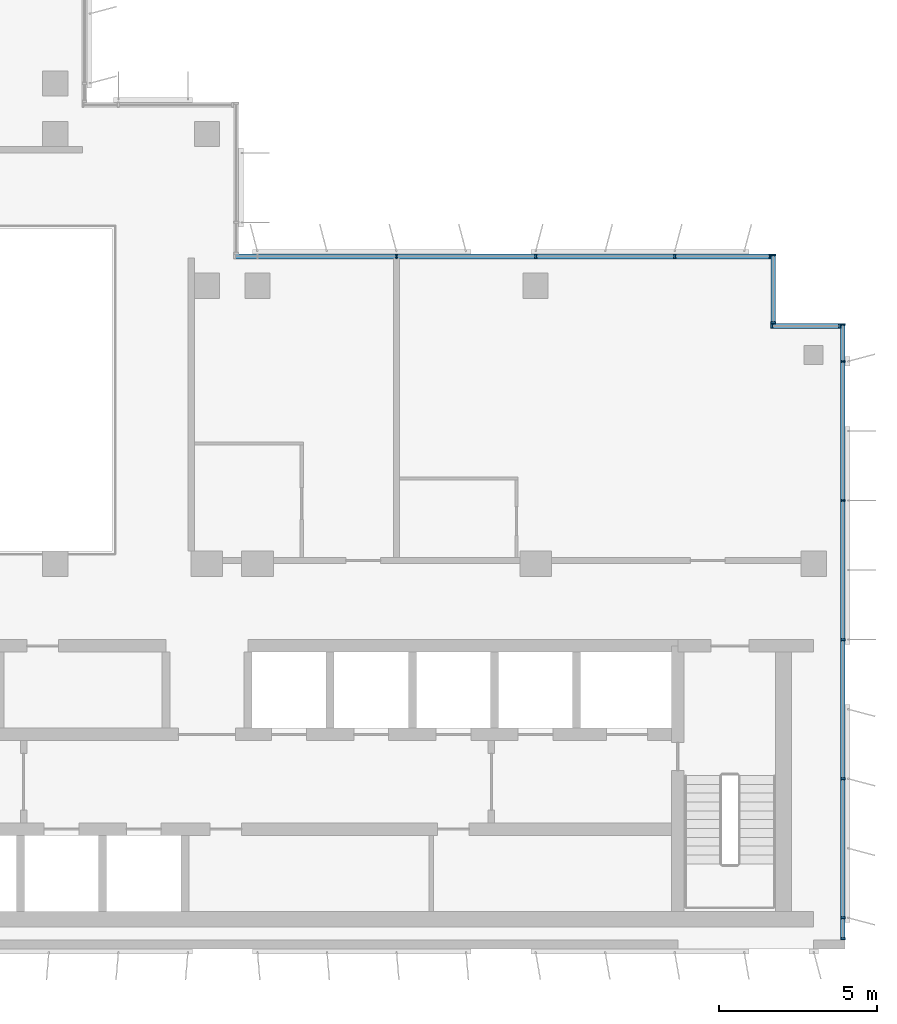
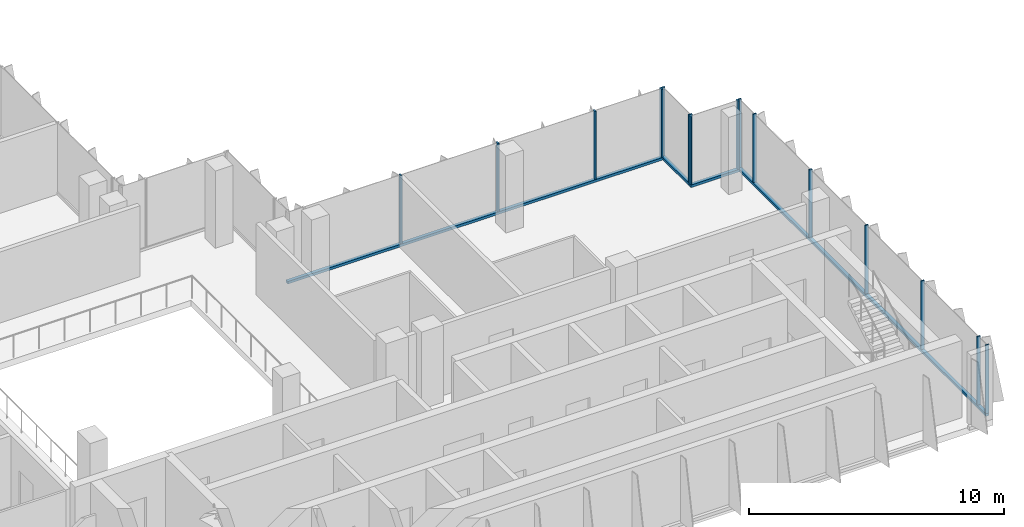
# One storey, part 3 of 15: 19 members, 4 elements without a shape of their own.
"""IFC4 building model written with IfcOpenShell, lengths in metres."""

from ifc_helpers import new_model, si_unit, direction, frame, origin, origin_2d, place, context, subcontext, project, spatial, rectangle, extrude, source, transform, mapped, material, material_profile, profile_set, type_object, element, aggregate, save


model = new_model("IFC4")

# Units and contexts
model_context = context("Model", 3, precision=1e-05, world=origin(), true_north=direction((0.0, 1.0)))
body_context = subcontext(model_context, "Body", "Model", "MODEL_VIEW")
ifc_project = project(units=[si_unit("LENGTHUNIT", "METRE"), si_unit("AREAUNIT", "SQUARE_METRE"), si_unit("VOLUMEUNIT", "CUBIC_METRE"), si_unit("PLANEANGLEUNIT", "RADIAN"), si_unit("MASSUNIT", "GRAM", prefix="KILO")], contexts=[model_context])

# Site, building, storey
site_placement = place(None, origin())
site = spatial("IfcSite", under=ifc_project, at=site_placement, CompositionType="ELEMENT")
building_placement = place(site_placement, origin())
building = spatial("IfcBuilding", under=site, at=building_placement, Name="Kemantara Hotel Tower", CompositionType="ELEMENT")
storey_placement = place(building_placement, frame((0.0, 0.0, 233.89990234375)))
storey = spatial("IfcBuildingStorey", under=building, at=storey_placement, Name="L58", CompositionType="ELEMENT", Elevation=233.89990234375)

# Curtain wall, member
ifc_material_1 = material(Name="Low-E tinted double insulated glass 36 mm", Category="glass")
curtain_wall_type = type_object("IfcCurtainWallType", Name="TOWER CURTAIN WALL, FRONT FACES", PredefinedType="USERDEFINED", material=ifc_material_1)
curtain_wall_1_placement = place(storey_placement, origin())
curtain_wall_1 = element("IfcCurtainWall", 1, at=curtain_wall_1_placement, inside=storey, type_object=curtain_wall_type, Name="CW4 L58 T4-R09-1", ObjectType="TOWER CURTAIN WALL, FRONT FACES", PredefinedType="USERDEFINED")
ifc_material_2 = material(Name="Aluminium 6063-T6 bronze anodised", Category="aluminium")
ifc_material_profile_1 = material_profile(ifc_material_2, rectangle(XDim=0.14990234375, YDim=0.1201171875, at=origin_2d()), Name="TOWER CURTAIN WALL, FRONT FACES TRANSOM")
ifc_profile_set_1 = profile_set([ifc_material_profile_1], Name="Aluminium 6063-T6 bronze anodised")
member_type_1 = type_object("IfcMemberType", Name="TOWER CURTAIN WALL, FRONT FACES TRANSOM", PredefinedType="USERDEFINED", material=ifc_profile_set_1)
member_1_placement = place(storey_placement, frame((45.925048828125, 0.300048828125, 0.06005859375), z_axis=(0.0, 1.0, 0.0), x_axis=(-1.0, 0.0, 0.0)))
member_1 = element("IfcMember", 2, at=member_1_placement, type_object=member_type_1, Name="CW4 sill transom T4-R09-1", ObjectType="TRANSOM", PredefinedType="USERDEFINED", context=body_context, shape_type="SweptSolid", body=[
    extrude(rectangle(XDim=0.14990234375, YDim=0.1201171875, at=origin_2d()), origin(), (0.0, 0.0, 1.0), 19.5),
])

curtain_wall_2_placement = place(storey_placement, origin())
curtain_wall_2 = element("IfcCurtainWall", 3, at=curtain_wall_2_placement, inside=storey, type_object=curtain_wall_type, Name="CW4 L58 T4-R12-1", ObjectType="TOWER CURTAIN WALL, FRONT FACES", PredefinedType="USERDEFINED")
member_2_placement = place(storey_placement, frame((43.64990234375, 21.925048828125, 0.06005859375), z_axis=(-1.0, 0.0, 0.0), x_axis=(0.0, -1.0, 0.0)))
member_2 = element("IfcMember", 4, at=member_2_placement, type_object=member_type_1, Name="CW4 sill transom T4-R12-1", ObjectType="TRANSOM", PredefinedType="USERDEFINED", context=body_context, shape_type="SweptSolid", body=[
    extrude(rectangle(XDim=0.14990234375, YDim=0.1201171875, at=origin_2d()), origin(), (0.0, 0.0, 1.0), 17.0),
])

curtain_wall_3_placement = place(storey_placement, origin())
curtain_wall_3 = element("IfcCurtainWall", 5, at=curtain_wall_3_placement, inside=storey, type_object=curtain_wall_type, Name="CW4 L58 T4-R10-1", ObjectType="TOWER CURTAIN WALL, FRONT FACES", PredefinedType="USERDEFINED")
member_3_placement = place(storey_placement, frame((45.85009765625, 19.72509765625, 0.06005859375), z_axis=(-1.0, 0.0, 0.0), x_axis=(0.0, -1.0, 0.0)))
member_3 = element("IfcMember", 6, at=member_3_placement, type_object=member_type_1, Name="CW4 sill transom T4-R10-1", ObjectType="TRANSOM", PredefinedType="USERDEFINED", context=body_context, shape_type="SweptSolid", body=[
    extrude(rectangle(XDim=0.14990234375, YDim=0.1201171875, at=origin_2d()), origin(), (0.0, 0.0, 1.0), 2.2001953125),
])

curtain_wall_4_placement = place(storey_placement, origin())
curtain_wall_4 = element("IfcCurtainWall", 7, at=curtain_wall_4_placement, inside=storey, type_object=curtain_wall_type, Name="CW4 L58 T4-R11-1", ObjectType="TOWER CURTAIN WALL, FRONT FACES", PredefinedType="USERDEFINED")
member_4_placement = place(storey_placement, frame((43.72509765625, 19.800048828125, 0.06005859375), z_axis=(0.0, 1.0, 0.0), x_axis=(-1.0, 0.0, 0.0)))
member_4 = element("IfcMember", 8, at=member_4_placement, type_object=member_type_1, Name="CW4 sill transom T4-R11-1", ObjectType="TRANSOM", PredefinedType="USERDEFINED", context=body_context, shape_type="SweptSolid", body=[
    extrude(rectangle(XDim=0.14990234375, YDim=0.1201171875, at=origin_2d()), origin(), (0.0, 0.0, 1.0), 2.199951171875),
])

# Member
ifc_material_profile_2 = material_profile(ifc_material_2, rectangle(XDim=0.14990234375, YDim=0.06005859375, at=origin_2d()), Name="TOWER CURTAIN WALL, FRONT FACES MULLION")
ifc_profile_set_2 = profile_set([ifc_material_profile_2], Name="Aluminium 6063-T6 bronze anodised")
member_type_2 = type_object("IfcMemberType", Name="TOWER CURTAIN WALL, FRONT FACES MULLION", PredefinedType="MULLION", material=ifc_profile_set_2)
shared_shape = source(origin(), body_context, "Body", "SweptSolid", [
    extrude(rectangle(XDim=0.14990234375, YDim=0.06005859375, at=origin_2d()), origin(), (0.0, 0.0, 1.0), 3.280029296875),
])
member_5_placement = place(storey_placement, frame((45.925048828125, 0.330078125, 0.1201171875), z_axis=(0.0, 0.0, 1.0), x_axis=(-1.0, 0.0, 0.0)))
member_5 = element("IfcMember", 9, at=member_5_placement, type_object=member_type_2, Name="CW4 mullion T4-R09-1.1", PredefinedType="MULLION", context=body_context, shape_type="MappedRepresentation", body=[
    mapped(shared_shape, transform((0.0, 0.0, 0.0))),
])

member_6_placement = place(storey_placement, frame((45.925048828125, 1.0, 0.1201171875), z_axis=(0.0, 0.0, 1.0), x_axis=(-1.0, 0.0, 0.0)))
member_6 = element("IfcMember", 10, at=member_6_placement, type_object=member_type_2, Name="CW4 mullion T4-R09-1.2", PredefinedType="MULLION", context=body_context, shape_type="MappedRepresentation", body=[
    mapped(shared_shape, transform((0.0, 0.0, 0.0))),
])

member_7_placement = place(storey_placement, frame((45.925048828125, 5.39990234375, 0.1201171875), z_axis=(0.0, 0.0, 1.0), x_axis=(-1.0, 0.0, 0.0)))
member_7 = element("IfcMember", 11, at=member_7_placement, type_object=member_type_2, Name="CW4 mullion T4-R09-1.3", PredefinedType="MULLION", context=body_context, shape_type="MappedRepresentation", body=[
    mapped(shared_shape, transform((0.0, 0.0, 0.0))),
])

member_8_placement = place(storey_placement, frame((45.925048828125, 9.800048828125, 0.1201171875), z_axis=(0.0, 0.0, 1.0), x_axis=(-1.0, 0.0, 0.0)))
member_8 = element("IfcMember", 12, at=member_8_placement, type_object=member_type_2, Name="CW4 mullion T4-R09-1.4", PredefinedType="MULLION", context=body_context, shape_type="MappedRepresentation", body=[
    mapped(shared_shape, transform((0.0, 0.0, 0.0))),
])

member_9_placement = place(storey_placement, frame((45.925048828125, 14.199951171875, 0.1201171875), z_axis=(0.0, 0.0, 1.0), x_axis=(-1.0, 0.0, 0.0)))
member_9 = element("IfcMember", 13, at=member_9_placement, type_object=member_type_2, Name="CW4 mullion T4-R09-1.5", PredefinedType="MULLION", context=body_context, shape_type="MappedRepresentation", body=[
    mapped(shared_shape, transform((0.0, 0.0, 0.0))),
])

member_10_placement = place(storey_placement, frame((45.925048828125, 18.60009765625, 0.1201171875), z_axis=(0.0, 0.0, 1.0), x_axis=(-1.0, 0.0, 0.0)))
member_10 = element("IfcMember", 14, at=member_10_placement, type_object=member_type_2, Name="CW4 mullion T4-R09-1.6", PredefinedType="MULLION", context=body_context, shape_type="MappedRepresentation", body=[
    mapped(shared_shape, transform((0.0, 0.0, 0.0))),
])

member_11_placement = place(storey_placement, frame((45.925048828125, 19.77001953125, 0.1201171875), z_axis=(0.0, 0.0, 1.0), x_axis=(-1.0, 0.0, 0.0)))
member_11 = element("IfcMember", 15, at=member_11_placement, type_object=member_type_2, Name="CW4 mullion T4-R09-1.7", PredefinedType="MULLION", context=body_context, shape_type="MappedRepresentation", body=[
    mapped(shared_shape, transform((0.0, 0.0, 0.0))),
])

aggregate(curtain_wall_1, [member_1, member_5, member_6, member_7, member_8, member_9, member_10, member_11])

member_12_placement = place(storey_placement, frame((43.6201171875, 21.925048828125, 0.1201171875), z_axis=(0.0, 0.0, 1.0), x_axis=(0.0, -1.0, 0.0)))
member_12 = element("IfcMember", 16, at=member_12_placement, type_object=member_type_2, Name="CW4 mullion T4-R12-1.1", PredefinedType="MULLION", context=body_context, shape_type="MappedRepresentation", body=[
    mapped(shared_shape, transform((0.0, 0.0, 0.0))),
])

member_13_placement = place(storey_placement, frame((40.60009765625, 21.925048828125, 0.1201171875), z_axis=(0.0, 0.0, 1.0), x_axis=(0.0, -1.0, 0.0)))
member_13 = element("IfcMember", 17, at=member_13_placement, type_object=member_type_2, Name="CW4 mullion T4-R12-1.2", PredefinedType="MULLION", context=body_context, shape_type="MappedRepresentation", body=[
    mapped(shared_shape, transform((0.0, 0.0, 0.0))),
])

member_14_placement = place(storey_placement, frame((36.199951171875, 21.925048828125, 0.1201171875), z_axis=(0.0, 0.0, 1.0), x_axis=(0.0, -1.0, 0.0)))
member_14 = element("IfcMember", 18, at=member_14_placement, type_object=member_type_2, Name="CW4 mullion T4-R12-1.3", PredefinedType="MULLION", context=body_context, shape_type="MappedRepresentation", body=[
    mapped(shared_shape, transform((0.0, 0.0, 0.0))),
])

member_15_placement = place(storey_placement, frame((31.800048828125, 21.925048828125, 0.1201171875), z_axis=(0.0, 0.0, 1.0), x_axis=(0.0, -1.0, 0.0)))
member_15 = element("IfcMember", 19, at=member_15_placement, type_object=member_type_2, Name="CW4 mullion T4-R12-1.4", PredefinedType="MULLION", context=body_context, shape_type="MappedRepresentation", body=[
    mapped(shared_shape, transform((0.0, 0.0, 0.0))),
])

aggregate(curtain_wall_2, [member_2, member_12, member_13, member_14, member_15])

member_16_placement = place(storey_placement, frame((45.820068359375, 19.72509765625, 0.1201171875), z_axis=(0.0, 0.0, 1.0), x_axis=(0.0, -1.0, 0.0)))
member_16 = element("IfcMember", 20, at=member_16_placement, type_object=member_type_2, Name="CW4 mullion T4-R10-1.1", PredefinedType="MULLION", context=body_context, shape_type="MappedRepresentation", body=[
    mapped(shared_shape, transform((0.0, 0.0, 0.0))),
])

member_17_placement = place(storey_placement, frame((43.679931640625, 19.72509765625, 0.1201171875), z_axis=(0.0, 0.0, 1.0), x_axis=(0.0, -1.0, 0.0)))
member_17 = element("IfcMember", 21, at=member_17_placement, type_object=member_type_2, Name="CW4 mullion T4-R10-1.2", PredefinedType="MULLION", context=body_context, shape_type="MappedRepresentation", body=[
    mapped(shared_shape, transform((0.0, 0.0, 0.0))),
])

aggregate(curtain_wall_3, [member_3, member_16, member_17])

member_18_placement = place(storey_placement, frame((43.72509765625, 19.830078125, 0.1201171875), z_axis=(0.0, 0.0, 1.0), x_axis=(-1.0, 0.0, 0.0)))
member_18 = element("IfcMember", 22, at=member_18_placement, type_object=member_type_2, Name="CW4 mullion T4-R11-1.1", PredefinedType="MULLION", context=body_context, shape_type="MappedRepresentation", body=[
    mapped(shared_shape, transform((0.0, 0.0, 0.0))),
])

member_19_placement = place(storey_placement, frame((43.72509765625, 21.969970703125, 0.1201171875), z_axis=(0.0, 0.0, 1.0), x_axis=(-1.0, 0.0, 0.0)))
member_19 = element("IfcMember", 23, at=member_19_placement, type_object=member_type_2, Name="CW4 mullion T4-R11-1.2", PredefinedType="MULLION", context=body_context, shape_type="MappedRepresentation", body=[
    mapped(shared_shape, transform((0.0, 0.0, 0.0))),
])

aggregate(curtain_wall_4, [member_4, member_18, member_19])

save(model, "model.ifc")
